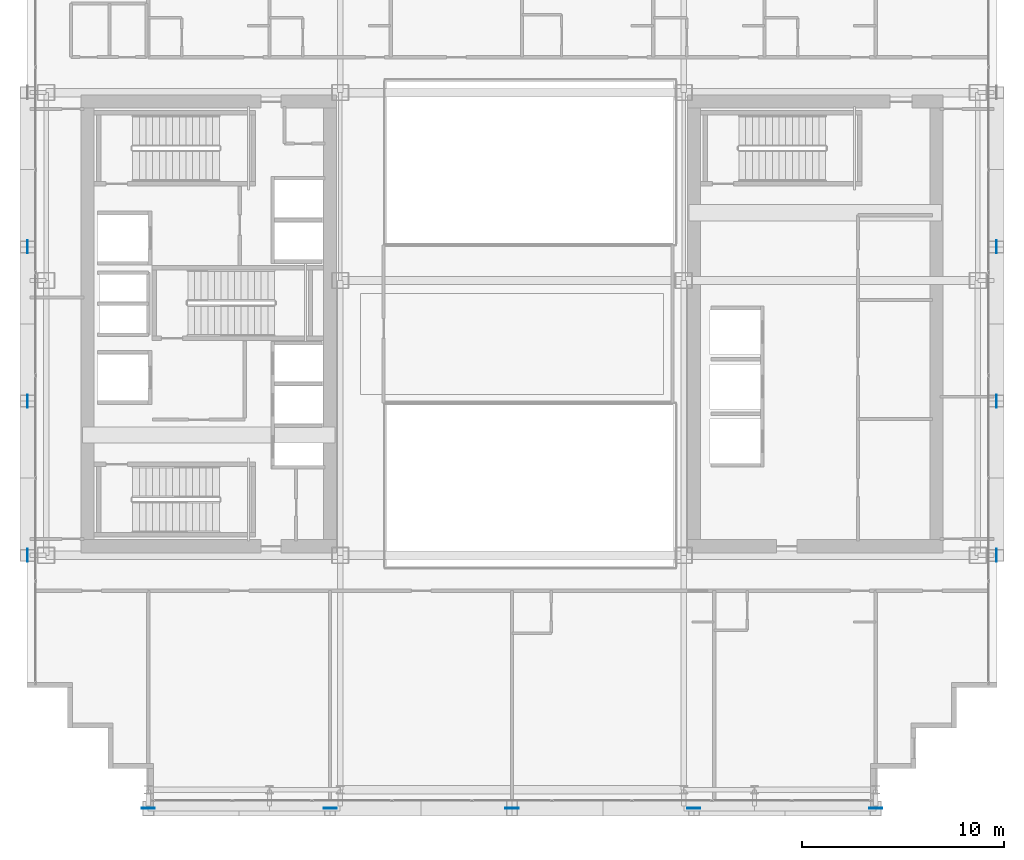
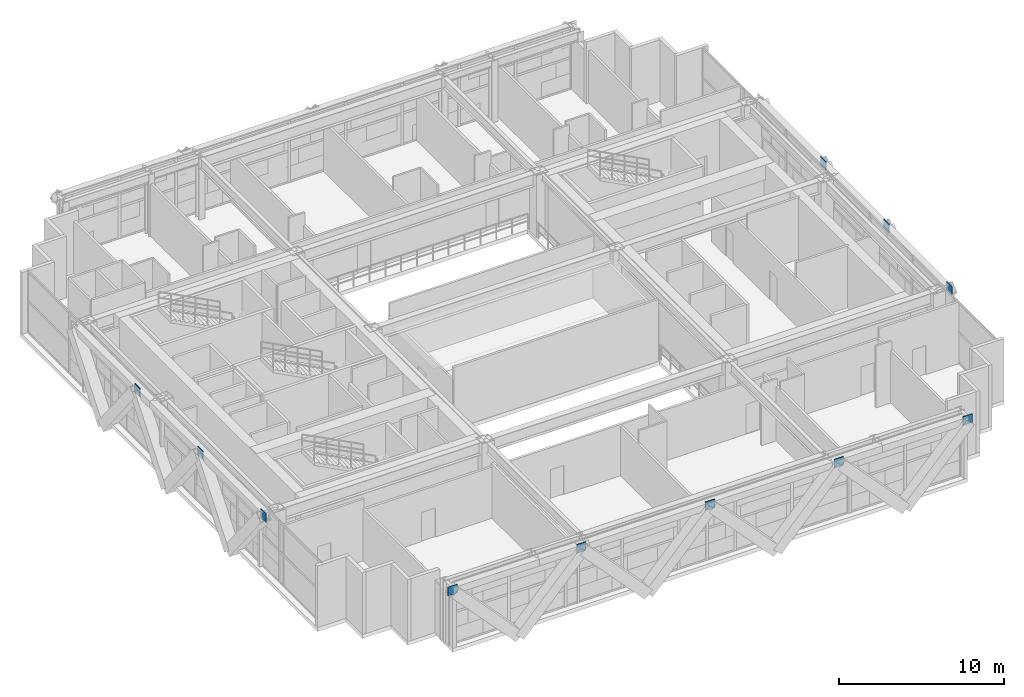
# One storey, part 28 of 38: 11 plates.
"""IFC4 building model written with IfcOpenShell, lengths in metres."""

import ifcopenshell
import ifcopenshell.guid

model = None  # the IFC model being written
_history = None  # IfcOwnerHistory: only IFC2X3 demands one
_inside = {}  # id of a spatial element -> (the spatial element, [elements in it])
_under = {}  # id of a project, library or spatial element -> (it, [spatial elements below it])
_declared = {}  # id of a project -> (the project, [libraries it declares])
_typed = {}  # id of a type object -> (the type object, [elements of that type])
_made_of = {}  # id of a material, layer set ... -> (it, [elements and type objects made of it])


def new_model(schema):
    """Start an empty IFC model of exactly this schema.

    Asked for "IFC4X3", IfcOpenShell would pick the latest addendum, in which some entities
    have other attributes; the version numbers below select the first issue.
    IFC2X3 requires an IfcOwnerHistory on every rooted entity: one is made here for all.
    """
    global model, _history
    if schema == "IFC4X3":
        model = ifcopenshell.file(schema_version=(4, 3, 0, 0))
    else:
        model = ifcopenshell.file(schema=schema)
    _inside.clear()
    _under.clear()
    _declared.clear()
    _typed.clear()
    _made_of.clear()
    _history = None
    if model.schema == "IFC2X3":
        org = make("IfcOrganization", Name="unknown")
        user = make(
            "IfcPersonAndOrganization",
            ThePerson=make("IfcPerson", FamilyName="unknown"),
            TheOrganization=org,
        )
        app = make(
            "IfcApplication",
            ApplicationDeveloper=org,
            Version="unknown",
            ApplicationFullName="unknown",
            ApplicationIdentifier="unknown",
        )
        _history = make(
            "IfcOwnerHistory",
            OwningUser=user,
            OwningApplication=app,
            ChangeAction="ADDED",
            CreationDate=0,
        )
    return model


def make(cls, **values):
    """One entity of the class cls with the attributes given. An attribute that is None is left unset."""
    return model.create_entity(
        cls, **{name: value for name, value in values.items() if value is not None}
    )


def rooted(cls, **values):
    """An entity with a GlobalId (a new one), such as an element, a storey or a relation."""
    return make(cls, GlobalId=ifcopenshell.guid.new(), OwnerHistory=_history, **values)


def si_unit(unit_type, name, prefix=None):
    """IfcSIUnit, for example si_unit("LENGTHUNIT", "METRE", prefix="MILLI")."""
    return make("IfcSIUnit", UnitType=unit_type, Prefix=prefix, Name=name)


def assignment(units):
    """IfcUnitAssignment: the units of a project."""
    return None if units is None else make("IfcUnitAssignment", Units=units)


def point(xyz):
    """IfcCartesianPoint."""
    return None if xyz is None else make("IfcCartesianPoint", Coordinates=xyz)


def direction(xyz):
    """IfcDirection."""
    return None if xyz is None else make("IfcDirection", DirectionRatios=xyz)


def frame(location, z_axis=None, x_axis=None):
    """IfcAxis2Placement3D, a coordinate frame: its origin and axes. An axis left out is left unset."""
    return make(
        "IfcAxis2Placement3D",
        Location=point(location),
        Axis=direction(z_axis),
        RefDirection=direction(x_axis),
    )


def frame_2d(location, x_axis=None):
    """IfcAxis2Placement2D, a coordinate frame in the plane: its origin and x axis."""
    return make(
        "IfcAxis2Placement2D", Location=point(location), RefDirection=direction(x_axis)
    )


def origin():
    """The frame at (0, 0, 0) with its axes left unset."""
    return frame((0.0, 0.0, 0.0))


def origin_2d():
    """The frame at (0, 0) in the plane with its x axis left unset."""
    return frame_2d((0.0, 0.0))


def place(relative_to, where):
    """IfcLocalPlacement: puts the frame where relative to a parent placement (None: the world)."""
    return make(
        "IfcLocalPlacement", PlacementRelTo=relative_to, RelativePlacement=where
    )


def context(
    kind, dimensions, precision=None, world=None, true_north=None, identifier=None
):
    """IfcGeometricRepresentationContext, for example the 3D "Model" context."""
    return make(
        "IfcGeometricRepresentationContext",
        ContextIdentifier=identifier,
        ContextType=kind,
        CoordinateSpaceDimension=dimensions,
        Precision=precision,
        WorldCoordinateSystem=world,
        TrueNorth=true_north,
    )


def subcontext(parent, identifier, kind, view, scale=None):
    """IfcGeometricRepresentationSubContext, for example "Body" below "Model"."""
    return make(
        "IfcGeometricRepresentationSubContext",
        ContextIdentifier=identifier,
        ContextType=kind,
        ParentContext=parent,
        TargetScale=scale,
        TargetView=view,
    )


def project(units=None, contexts=None):
    """IfcProject with its units and contexts."""
    return rooted(
        "IfcProject",
        Name="project",
        RepresentationContexts=contexts,
        UnitsInContext=assignment(units),
    )


def spatial(cls, under=None, at=None, **own):
    """A site, building, storey or space (cls), placed at a placement, below another one or the project."""
    s = rooted(cls, ObjectPlacement=at, **own)
    if under is not None:
        _under.setdefault(under.id(), (under, []))[1].append(s)
    return s


def profile(cls, at=None, kind="AREA", **sizes):
    """A parametric profile (cls). Its sizes go by their IFC names, for example OverallWidth=200.0."""
    return make(cls, ProfileType=kind, Position=at, **sizes)


def rectangle(**sizes):
    """IfcRectangleProfileDef."""
    return profile("IfcRectangleProfileDef", **sizes)


def extrude(swept, where, along, depth):
    """IfcExtrudedAreaSolid: the profile swept, set in the frame where, extruded along a direction by depth."""
    return make(
        "IfcExtrudedAreaSolid",
        SweptArea=swept,
        Position=where,
        ExtrudedDirection=direction(along),
        Depth=depth,
    )


def shape(context_of_items, identifier, shape_type, items):
    """IfcShapeRepresentation: the items that make up one representation, for example the "Body"."""
    return make(
        "IfcShapeRepresentation",
        ContextOfItems=context_of_items,
        RepresentationIdentifier=identifier,
        RepresentationType=shape_type,
        Items=items,
    )


def source(mapping_origin, context_of_items, identifier, shape_type, items):
    """IfcRepresentationMap: a shape defined once, which mapped items show again and again."""
    return make(
        "IfcRepresentationMap",
        MappingOrigin=mapping_origin,
        MappedRepresentation=shape(context_of_items, identifier, shape_type, items),
    )


def transform(
    local_origin,
    x_axis=None,
    y_axis=None,
    z_axis=None,
    scale=None,
    scale2=None,
    scale3=None,
    uniform=True,
):
    """IfcCartesianTransformationOperator3D, or its non-uniform kind. x_axis, y_axis, z_axis: its Axis1, 2, 3."""
    if uniform:
        return make(
            "IfcCartesianTransformationOperator3D",
            Axis1=direction(x_axis),
            Axis2=direction(y_axis),
            LocalOrigin=point(local_origin),
            Scale=scale,
            Axis3=direction(z_axis),
        )
    return make(
        "IfcCartesianTransformationOperator3DnonUniform",
        Axis1=direction(x_axis),
        Axis2=direction(y_axis),
        LocalOrigin=point(local_origin),
        Scale=scale,
        Axis3=direction(z_axis),
        Scale2=scale2,
        Scale3=scale3,
    )


def mapped(mapping_source, mapping_target):
    """IfcMappedItem: shows the shape of a source again, moved by a transform."""
    return make(
        "IfcMappedItem", MappingSource=mapping_source, MappingTarget=mapping_target
    )


def material(Name=None, Category=None):
    """IfcMaterial."""
    return make("IfcMaterial", Name=Name, Category=Category)


def layer(
    of_material, thickness, ventilated=None, Name=None, Category=None, Priority=None
):
    """IfcMaterialLayer: one layer of a wall or slab, of a material (None: an air gap)."""
    return make(
        "IfcMaterialLayer",
        Material=of_material,
        LayerThickness=thickness,
        IsVentilated=ventilated,
        Name=Name,
        Category=Category,
        Priority=Priority,
    )


def layer_set(layers, Name=None):
    """IfcMaterialLayerSet."""
    return make("IfcMaterialLayerSet", MaterialLayers=layers, LayerSetName=Name)


def made_of(thing, what):
    """Note that an element or type object is made of a material, layer set ...; save() writes the relation."""
    if what is not None:
        _made_of.setdefault(what.id(), (what, []))[1].append(thing)
    return thing


def type_object(cls, material=None, **own):
    """A type object (cls), such as IfcWallType, which elements share."""
    return made_of(rooted(cls, **own), material)


def element(
    cls,
    number,
    at=None,
    inside=None,
    cuts=None,
    type_object=None,
    material=None,
    context=None,
    identifier="Body",
    shape_type=None,
    held_by="IfcProductDefinitionShape",
    body=None,
    shapes=None,
    **own,
):
    """One element of the class cls, such as IfcWall. Its Tag is "e" and its number.

    at: its placement. inside: the storey or other place that contains it. cuts: it is an
    opening in that element (IfcRelVoidsElement). A single representation is given by context,
    identifier, shape_type and body (its items); several are given by shapes. held_by: the class
    of the entity that holds the representations. save() writes the other relations.
    """
    e = rooted(cls, Tag="e%d" % number, ObjectPlacement=at, **own)
    if body is not None:
        shapes = [shape(context, identifier, shape_type, body)]
    if shapes is not None:
        e.Representation = make(held_by, Representations=shapes)
    if inside is not None:
        _inside.setdefault(inside.id(), (inside, []))[1].append(e)
    if cuts is not None:
        rooted(
            "IfcRelVoidsElement", RelatingBuildingElement=cuts, RelatedOpeningElement=e
        )
    if type_object is not None:
        _typed.setdefault(type_object.id(), (type_object, []))[1].append(e)
    return made_of(e, material)


def aggregate(whole, parts):
    """IfcRelAggregates: a whole, such as a stair, and the parts it consists of."""
    return rooted("IfcRelAggregates", RelatingObject=whole, RelatedObjects=parts)


def save(model, path):
    """Write the relations noted so far, then the file.

    IfcRelAggregates (storeys below a building ...), IfcRelContainedInSpatialStructure (elements
    in a storey), IfcRelDefinesByType, IfcRelAssociatesMaterial and IfcRelDeclares: one each for
    every whole, place, type object, material and project.
    """
    for whole, parts in _under.values():
        aggregate(whole, parts)
    for where, things in _inside.values():
        rooted(
            "IfcRelContainedInSpatialStructure",
            RelatedElements=things,
            RelatingStructure=where,
        )
    for kind, things in _typed.values():
        rooted("IfcRelDefinesByType", RelatedObjects=things, RelatingType=kind)
    for what, things in _made_of.values():
        rooted("IfcRelAssociatesMaterial", RelatedObjects=things, RelatingMaterial=what)
    for by, libraries in _declared.values():
        rooted("IfcRelDeclares", RelatingContext=by, RelatedDefinitions=libraries)
    model.write(path)


model = new_model("IFC4")

# Units and contexts
model_context = context("Model", 3, precision=1e-05, world=origin(), true_north=direction((0.0, 1.0)))
body_context = subcontext(model_context, "Body", "Model", "MODEL_VIEW")
ifc_project = project(units=[si_unit("LENGTHUNIT", "METRE"), si_unit("AREAUNIT", "SQUARE_METRE"), si_unit("VOLUMEUNIT", "CUBIC_METRE"), si_unit("PLANEANGLEUNIT", "RADIAN"), si_unit("MASSUNIT", "GRAM", prefix="KILO")], contexts=[model_context])

# Site, building, storey
site_placement = place(None, origin())
site = spatial("IfcSite", under=ifc_project, at=site_placement, CompositionType="ELEMENT")
building_placement = place(site_placement, origin())
building = spatial("IfcBuilding", under=site, at=building_placement, Name="Ocotamira Hotel", CompositionType="ELEMENT")
storey_placement = place(building_placement, frame((0.0, 0.0, 92.39990234375)))
storey = spatial("IfcBuildingStorey", under=building, at=storey_placement, Name="L22", CompositionType="ELEMENT", Elevation=92.39990234375)

# Plates
ifc_material = material(Name="Pale-metal coated steel ASTM A572 Grade 50", Category="steel")
ifc_layer = layer(ifc_material, 0.0400390625)
ifc_layer_set = layer_set([ifc_layer], Name="Pale-metal coated steel ASTM A572 Grade 50")
plate_type = type_object("IfcPlateType", Name="PLT-GUSSET-40", PredefinedType="SHEET", material=ifc_layer_set)
shared_shape_1 = source(origin(), body_context, "Body", "SweptSolid", [
    extrude(rectangle(XDim=0.64990234375, YDim=0.0400390625, at=origin_2d()), origin(), (0.0, 0.0, 1.0), 0.64990234375),
])
for number, where, z_axis, x_axis, name in (
    (1, (14.0, 2.030029296875, 3.985107421875), (0.0, 0.0, 1.0), (-1.0, 0.0, 0.0), "L22 Exoskeleton Diagrid S0.1 End Gusset B"),
    (2, (23.0, 2.030029296875, 3.985107421875), (0.0, 0.0, 1.0), (1.0, 0.0, 0.0), "L22 Exoskeleton Diagrid S0.2 End Gusset B"),
    (3, (32.0, 2.030029296875, 3.985107421875), (0.0, 0.0, 1.0), (1.0, 0.0, 0.0), "L22 Exoskeleton Diagrid S1.2 End Gusset B"),
    (4, (41.0, 2.030029296875, 3.985107421875), (0.0, 0.0, 1.0), (1.0, 0.0, 0.0), "L22 Exoskeleton Diagrid S2.2 End Gusset B"),
    (5, (50.0, 2.030029296875, 3.985107421875), (0.0, 0.0, 1.0), (1.0, 0.0, 0.0), "L22 Exoskeleton Diagrid S3.2 End Gusset B"),
):
    element("IfcPlate", number, at=place(storey_placement, frame(where, z_axis=z_axis, x_axis=x_axis)), inside=storey, type_object=plate_type, Name=name, PredefinedType="SHEET", context=body_context, shape_type="MappedRepresentation", body=[
        mapped(shared_shape_1, transform((0.0, 0.0, 0.0), scale=1.0)),
    ])
shared_shape_2 = source(origin(), body_context, "Body", "SweptSolid", [
    extrude(rectangle(XDim=0.0400390625, YDim=0.64990234375, at=origin_2d()), origin(), (0.0, 0.0, 1.0), 0.64990234375),
])
for number, where, z_axis, x_axis, name in (
    (6, (8.030029296875, 14.550048828125, 3.985107421875), (0.0, 0.0, 1.0), (1.0, 0.0, 0.0), "L22 Exoskeleton Diagrid W0.1 End Gusset B"),
    (7, (8.030029296875, 22.183349609375, 3.985107421875), (0.0, 0.0, 1.0), (1.0, 0.0, 0.0), "L22 Exoskeleton Diagrid W0.2 End Gusset B"),
    (8, (8.030029296875, 29.816650390625, 3.985107421875), (0.0, 0.0, 1.0), (1.0, 0.0, 0.0), "L22 Exoskeleton Diagrid W1.2 End Gusset B"),
    (9, (55.969970703125, 14.550048828125, 3.985107421875), (0.0, 0.0, 1.0), (1.0, 0.0, 0.0), "L22 Exoskeleton Diagrid E0.1 End Gusset B"),
    (10, (55.969970703125, 22.183349609375, 3.985107421875), (0.0, 0.0, 1.0), (1.0, 0.0, 0.0), "L22 Exoskeleton Diagrid E0.2 End Gusset B"),
    (11, (55.969970703125, 29.816650390625, 3.985107421875), (0.0, 0.0, 1.0), (1.0, 0.0, 0.0), "L22 Exoskeleton Diagrid E1.2 End Gusset B"),
):
    element("IfcPlate", number, at=place(storey_placement, frame(where, z_axis=z_axis, x_axis=x_axis)), inside=storey, type_object=plate_type, Name=name, PredefinedType="SHEET", context=body_context, shape_type="MappedRepresentation", body=[
        mapped(shared_shape_2, transform((0.0, 0.0, 0.0), scale=1.0)),
    ])

save(model, "model.ifc")
